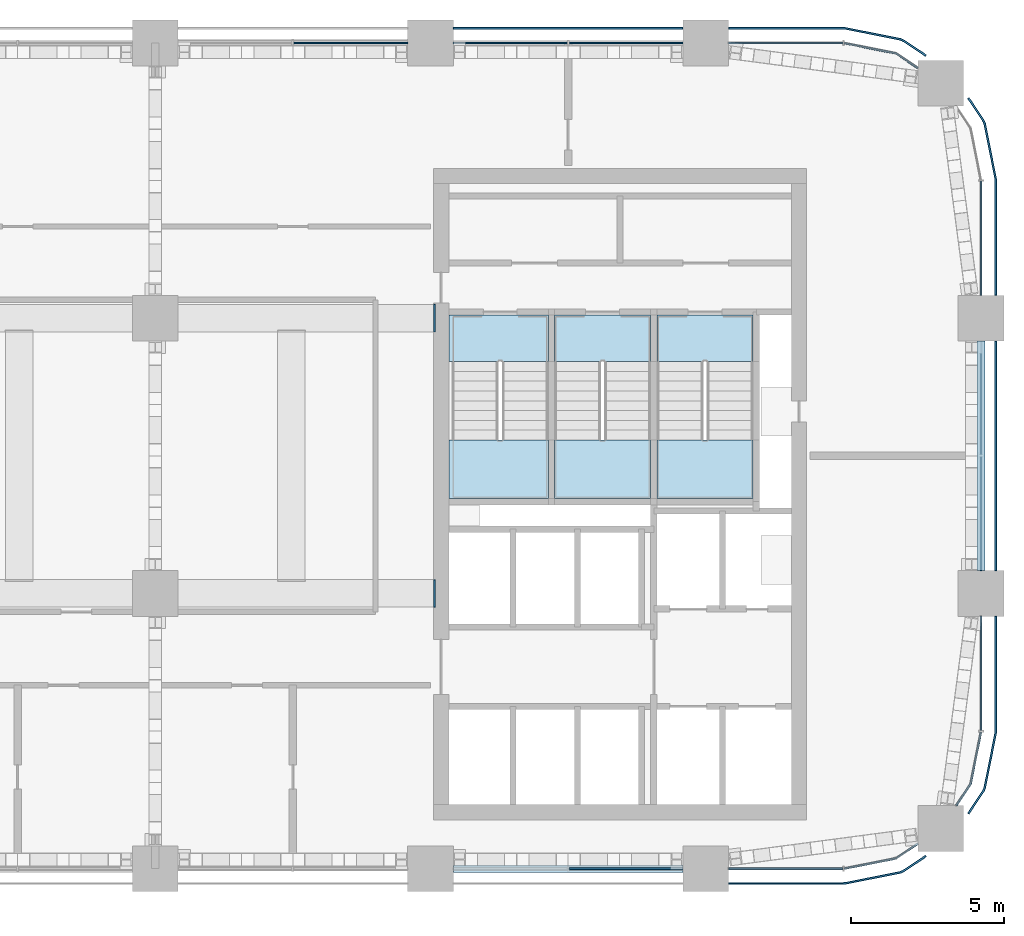
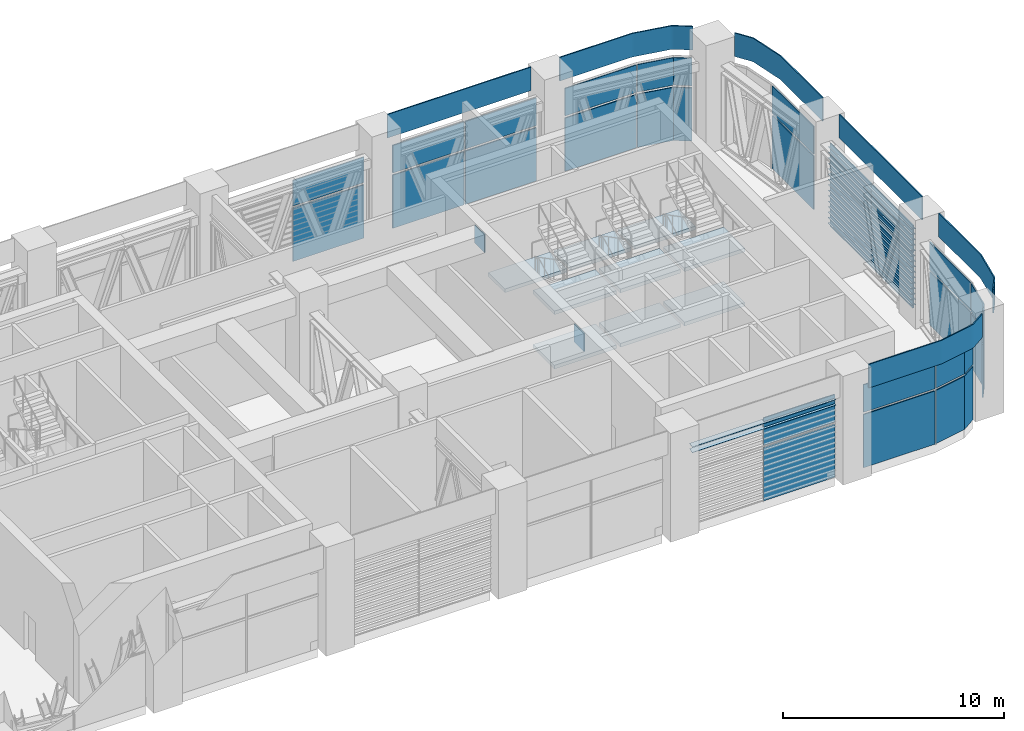
# One storey, part 10 of 19: 51 plates, 9 slabs, 11 elements without a shape of their own.
"""IFC4 building model written with IfcOpenShell, lengths in metres."""

from ifc_helpers import new_model, si_unit, direction, frame, origin, origin_2d, place, context, subcontext, project, spatial, polyline, rectangle, outline, extrude, material, layer, layer_set, type_object, element, aggregate, save


model = new_model("IFC4")

# Units and contexts
model_context = context("Model", 3, precision=1e-05, world=origin(), true_north=direction((0.0, 1.0)))
body_context = subcontext(model_context, "Body", "Model", "MODEL_VIEW")
ifc_project = project(units=[si_unit("LENGTHUNIT", "METRE"), si_unit("AREAUNIT", "SQUARE_METRE"), si_unit("VOLUMEUNIT", "CUBIC_METRE"), si_unit("PLANEANGLEUNIT", "RADIAN"), si_unit("MASSUNIT", "GRAM", prefix="KILO")], contexts=[model_context])

# Site, building, storey
site_placement = place(None, origin())
site = spatial("IfcSite", under=ifc_project, at=site_placement, CompositionType="ELEMENT")
building_placement = place(site_placement, origin())
building = spatial("IfcBuilding", under=site, at=building_placement, Name="Tessera Arch", CompositionType="ELEMENT")
storey_placement = place(building_placement, frame((0.0, 0.0, 197.300048828125)))
storey = spatial("IfcBuildingStorey", under=building, at=storey_placement, Name="L47", CompositionType="ELEMENT", Elevation=197.300048828125)

# Curtain wall, plates
ifc_material_1 = material(Name="CW7 curtain wall")
curtain_wall_type = type_object("IfcCurtainWallType", Name="CW7 curtain wall", PredefinedType="NOTDEFINED", material=ifc_material_1)
curtain_wall_1_placement = place(storey_placement, origin())
curtain_wall_1 = element("IfcCurtainWall", 1, at=curtain_wall_1_placement, inside=storey, type_object=curtain_wall_type, Name="CW7 curtain wall E54.27/0 L47", PredefinedType="NOTDEFINED")
ifc_material_2 = material(Name="Pale anodised aluminium panel", Category="aluminium")
ifc_layer_1 = layer(ifc_material_2, 0.06005859375)
ifc_layer_set_1 = layer_set([ifc_layer_1], Name="CW7 plant wall panel")
plate_type_1 = type_object("IfcPlateType", Name="CW7 plant wall panel", PredefinedType="CURTAIN_PANEL", material=ifc_layer_set_1)
plate_1_placement = place(storey_placement, frame((54.0, 38.610107421875, 0.0), z_axis=(0.0, 0.0, 1.0), x_axis=(0.0, 1.0, 0.0)))
plate_1 = element("IfcPlate", 2, at=plate_1_placement, type_object=plate_type_1, Name="CW7 plant wall panel E54.27/0 1.1.1", PredefinedType="CURTAIN_PANEL", context=body_context, shape_type="SweptSolid", body=[
    extrude(rectangle(XDim=3.719970703125, YDim=0.06005859375, at=origin_2d()), origin(), (0.0, 0.0, 1.0), 2.93994140625),
])
plate_2_placement = place(storey_placement, frame((54.0, 38.610107421875, 3.06005859375), z_axis=(0.0, 0.0, 1.0), x_axis=(0.0, 1.0, 0.0)))
plate_2 = element("IfcPlate", 3, at=plate_2_placement, type_object=plate_type_1, Name="CW7 plant wall panel E54.27/0 1.1.2", PredefinedType="CURTAIN_PANEL", context=body_context, shape_type="SweptSolid", body=[
    extrude(rectangle(XDim=3.719970703125, YDim=0.06005859375, at=origin_2d()), origin(), (0.0, 0.0, 1.0), 1.52001953125),
])
plate_3_placement = place(storey_placement, frame((54.0, 42.389892578125, 0.0), z_axis=(0.0, 0.0, 1.0), x_axis=(0.0, 1.0, 0.0)))
plate_3 = element("IfcPlate", 4, at=plate_3_placement, type_object=plate_type_1, Name="CW7 plant wall panel E54.27/0 1.2.1", PredefinedType="CURTAIN_PANEL", context=body_context, shape_type="SweptSolid", body=[
    extrude(rectangle(XDim=3.719970703125, YDim=0.06005859375, at=origin_2d()), origin(), (0.0, 0.0, 1.0), 2.93994140625),
])
plate_4_placement = place(storey_placement, frame((54.0, 42.389892578125, 3.06005859375), z_axis=(0.0, 0.0, 1.0), x_axis=(0.0, 1.0, 0.0)))
plate_4 = element("IfcPlate", 5, at=plate_4_placement, type_object=plate_type_1, Name="CW7 plant wall panel E54.27/0 1.2.2", PredefinedType="CURTAIN_PANEL", context=body_context, shape_type="SweptSolid", body=[
    extrude(rectangle(XDim=3.719970703125, YDim=0.06005859375, at=origin_2d()), origin(), (0.0, 0.0, 1.0), 1.52001953125),
])

curtain_wall_2_placement = place(storey_placement, origin())
curtain_wall_2 = element("IfcCurtainWall", 6, at=curtain_wall_2_placement, inside=storey, type_object=curtain_wall_type, Name="CW7 curtain wall E54.27/1 L47", PredefinedType="NOTDEFINED")
plate_5_placement = place(storey_placement, frame((54.0, 47.610107421875, 0.0), z_axis=(0.0, 0.0, 1.0), x_axis=(0.0, 1.0, 0.0)))
plate_5 = element("IfcPlate", 7, at=plate_5_placement, type_object=plate_type_1, Name="CW7 plant wall panel E54.27/1 1.1", PredefinedType="CURTAIN_PANEL", context=body_context, shape_type="SweptSolid", body=[
    extrude(rectangle(XDim=3.719970703125, YDim=0.06005859375, at=origin_2d()), origin(), (0.0, 0.0, 1.0), 2.93994140625),
])
plate_6_placement = place(storey_placement, frame((54.0, 47.610107421875, 3.06005859375), z_axis=(0.0, 0.0, 1.0), x_axis=(0.0, 1.0, 0.0)))
plate_6 = element("IfcPlate", 8, at=plate_6_placement, type_object=plate_type_1, Name="CW7 plant wall panel E54.27/1 1.2", PredefinedType="CURTAIN_PANEL", context=body_context, shape_type="SweptSolid", body=[
    extrude(rectangle(XDim=3.719970703125, YDim=0.06005859375, at=origin_2d()), origin(), (0.0, 0.0, 1.0), 1.52001953125),
])

curtain_wall_3_placement = place(storey_placement, origin())
curtain_wall_3 = element("IfcCurtainWall", 9, at=curtain_wall_3_placement, inside=storey, type_object=curtain_wall_type, Name="CW7 curtain wall N54.0/0 L47", PredefinedType="NOTDEFINED")
plate_7_placement = place(storey_placement, frame((47.610107421875, 54.0, 0.0), z_axis=(0.0, 0.0, 1.0), x_axis=(-1.0, 0.0, 0.0)))
plate_7 = element("IfcPlate", 10, at=plate_7_placement, type_object=plate_type_1, Name="CW7 plant wall panel N54.0/0 1.1", PredefinedType="CURTAIN_PANEL", context=body_context, shape_type="SweptSolid", body=[
    extrude(rectangle(XDim=3.719970703125, YDim=0.06005859375, at=origin_2d()), origin(), (0.0, 0.0, 1.0), 2.93994140625),
])
plate_8_placement = place(storey_placement, origin())
plate_8 = element("IfcPlate", 11, at=plate_8_placement, type_object=plate_type_1, Name="CW7 curved plant wall panel N54.0/0 2.1", PredefinedType="CURTAIN_PANEL", context=body_context, shape_type="SweptSolid", body=[
    extrude(outline(polyline([(51.21044921875, 53.629150390625), (51.915283203125, 53.158203125), (51.94873046875, 53.2080078125), (51.23388671875, 53.685791015625), (49.53515625, 54.023681640625), (49.523681640625, 53.96484375), (51.21044921875, 53.629150390625)])), origin(), (0.0, 0.0, 1.0), 2.93994140625),
])
plate_9_placement = place(storey_placement, frame((47.610107421875, 54.0, 3.06005859375), z_axis=(0.0, 0.0, 1.0), x_axis=(-1.0, 0.0, 0.0)))
plate_9 = element("IfcPlate", 12, at=plate_9_placement, type_object=plate_type_1, Name="CW7 plant wall panel N54.0/0 1.2", PredefinedType="CURTAIN_PANEL", context=body_context, shape_type="SweptSolid", body=[
    extrude(rectangle(XDim=3.719970703125, YDim=0.06005859375, at=origin_2d()), origin(), (0.0, 0.0, 1.0), 1.52001953125),
])
plate_10_placement = place(storey_placement, frame((0.0, 0.0, 3.06005859375)))
plate_10 = element("IfcPlate", 13, at=plate_10_placement, type_object=plate_type_1, Name="CW7 curved plant wall panel N54.0/0 2.2", PredefinedType="CURTAIN_PANEL", context=body_context, shape_type="SweptSolid", body=[
    extrude(outline(polyline([(51.21044921875, 53.629150390625), (51.915283203125, 53.158203125), (51.94873046875, 53.2080078125), (51.23388671875, 53.685791015625), (49.53515625, 54.023681640625), (49.523681640625, 53.96484375), (51.21044921875, 53.629150390625)])), origin(), (0.0, 0.0, 1.0), 1.519775390625),
])

curtain_wall_4_placement = place(storey_placement, origin())
curtain_wall_4 = element("IfcCurtainWall", 14, at=curtain_wall_4_placement, inside=storey, type_object=curtain_wall_type, Name="CW7 curtain wall N54.0/1 L47", PredefinedType="NOTDEFINED")
plate_11_placement = place(storey_placement, frame((42.389892578125, 54.0, 0.0), z_axis=(0.0, 0.0, 1.0), x_axis=(-1.0, 0.0, 0.0)))
plate_11 = element("IfcPlate", 15, at=plate_11_placement, type_object=plate_type_1, Name="CW7 plant wall panel N54.0/1 1.1.1", PredefinedType="CURTAIN_PANEL", context=body_context, shape_type="SweptSolid", body=[
    extrude(rectangle(XDim=3.719970703125, YDim=0.06005859375, at=origin_2d()), origin(), (0.0, 0.0, 1.0), 2.93994140625),
])
plate_12_placement = place(storey_placement, frame((42.389892578125, 54.0, 3.06005859375), z_axis=(0.0, 0.0, 1.0), x_axis=(-1.0, 0.0, 0.0)))
plate_12 = element("IfcPlate", 16, at=plate_12_placement, type_object=plate_type_1, Name="CW7 plant wall panel N54.0/1 1.1.2", PredefinedType="CURTAIN_PANEL", context=body_context, shape_type="SweptSolid", body=[
    extrude(rectangle(XDim=3.719970703125, YDim=0.06005859375, at=origin_2d()), origin(), (0.0, 0.0, 1.0), 1.52001953125),
])
plate_13_placement = place(storey_placement, frame((38.610107421875, 54.0, 0.0), z_axis=(0.0, 0.0, 1.0), x_axis=(-1.0, 0.0, 0.0)))
plate_13 = element("IfcPlate", 17, at=plate_13_placement, type_object=plate_type_1, Name="CW7 plant wall panel N54.0/1 1.2.1", PredefinedType="CURTAIN_PANEL", context=body_context, shape_type="SweptSolid", body=[
    extrude(rectangle(XDim=3.719970703125, YDim=0.06005859375, at=origin_2d()), origin(), (0.0, 0.0, 1.0), 2.93994140625),
])
plate_14_placement = place(storey_placement, frame((38.610107421875, 54.0, 3.06005859375), z_axis=(0.0, 0.0, 1.0), x_axis=(-1.0, 0.0, 0.0)))
plate_14 = element("IfcPlate", 18, at=plate_14_placement, type_object=plate_type_1, Name="CW7 plant wall panel N54.0/1 1.2.2", PredefinedType="CURTAIN_PANEL", context=body_context, shape_type="SweptSolid", body=[
    extrude(rectangle(XDim=3.719970703125, YDim=0.06005859375, at=origin_2d()), origin(), (0.0, 0.0, 1.0), 1.52001953125),
])

curtain_wall_5_placement = place(storey_placement, origin())
curtain_wall_5 = element("IfcCurtainWall", 19, at=curtain_wall_5_placement, inside=storey, type_object=curtain_wall_type, Name="CW7 curtain wall N54.0/2 L47", PredefinedType="NOTDEFINED")
plate_15_placement = place(storey_placement, frame((33.389892578125, 54.0, 0.0), z_axis=(0.0, 0.0, 1.0), x_axis=(-1.0, 0.0, 0.0)))
plate_15 = element("IfcPlate", 20, at=plate_15_placement, type_object=plate_type_1, Name="CW7 plant wall panel N54.0/2 1.1.1", PredefinedType="CURTAIN_PANEL", context=body_context, shape_type="SweptSolid", body=[
    extrude(rectangle(XDim=3.719970703125, YDim=0.06005859375, at=origin_2d()), origin(), (0.0, 0.0, 1.0), 2.93994140625),
])
plate_16_placement = place(storey_placement, frame((33.389892578125, 54.0, 3.06005859375), z_axis=(0.0, 0.0, 1.0), x_axis=(-1.0, 0.0, 0.0)))
plate_16 = element("IfcPlate", 21, at=plate_16_placement, type_object=plate_type_1, Name="CW7 plant wall panel N54.0/2 1.1.2", PredefinedType="CURTAIN_PANEL", context=body_context, shape_type="SweptSolid", body=[
    extrude(rectangle(XDim=3.719970703125, YDim=0.06005859375, at=origin_2d()), origin(), (0.0, 0.0, 1.0), 1.409912109375),
])
aggregate(curtain_wall_5, [plate_15, plate_16])

curtain_wall_6_placement = place(storey_placement, origin())
curtain_wall_6 = element("IfcCurtainWall", 22, at=curtain_wall_6_placement, inside=storey, type_object=curtain_wall_type, Name="CW7 curtain wall S27.0/4 L47", PredefinedType="NOTDEFINED")
plate_17_placement = place(storey_placement, frame((42.389892578125, 27.0, 0.0), z_axis=(0.0, 0.0, 1.0), x_axis=(1.0, 0.0, 0.0)))
plate_17 = element("IfcPlate", 23, at=plate_17_placement, type_object=plate_type_1, Name="CW7 plant wall panel S27.0/4 1.2.1", PredefinedType="CURTAIN_PANEL", context=body_context, shape_type="SweptSolid", body=[
    extrude(rectangle(XDim=3.719970703125, YDim=0.06005859375, at=origin_2d()), origin(), (0.0, 0.0, 1.0), 2.93994140625),
])
plate_18_placement = place(storey_placement, frame((42.389892578125, 27.0, 3.06005859375), z_axis=(0.0, 0.0, 1.0), x_axis=(1.0, 0.0, 0.0)))
plate_18 = element("IfcPlate", 24, at=plate_18_placement, type_object=plate_type_1, Name="CW7 plant wall panel S27.0/4 1.2.2", PredefinedType="CURTAIN_PANEL", context=body_context, shape_type="SweptSolid", body=[
    extrude(rectangle(XDim=3.719970703125, YDim=0.06005859375, at=origin_2d()), origin(), (0.0, 0.0, 1.0), 1.52001953125),
])
aggregate(curtain_wall_6, [plate_17, plate_18])

curtain_wall_7_placement = place(storey_placement, origin())
curtain_wall_7 = element("IfcCurtainWall", 25, at=curtain_wall_7_placement, inside=storey, type_object=curtain_wall_type, Name="CW7 curtain wall S27.0/5 L47", PredefinedType="NOTDEFINED")
plate_19_placement = place(storey_placement, frame((47.610107421875, 27.0, 0.0), z_axis=(0.0, 0.0, 1.0), x_axis=(1.0, 0.0, 0.0)))
plate_19 = element("IfcPlate", 26, at=plate_19_placement, type_object=plate_type_1, Name="CW7 plant wall panel S27.0/5 1.1", PredefinedType="CURTAIN_PANEL", context=body_context, shape_type="SweptSolid", body=[
    extrude(rectangle(XDim=3.719970703125, YDim=0.06005859375, at=origin_2d()), origin(), (0.0, 0.0, 1.0), 2.93994140625),
])
plate_20_placement = place(storey_placement, origin())
plate_20 = element("IfcPlate", 27, at=plate_20_placement, type_object=plate_type_1, Name="CW7 curved plant wall panel S27.0/5 2.1", PredefinedType="CURTAIN_PANEL", context=body_context, shape_type="SweptSolid", body=[
    extrude(outline(polyline([(51.21044921875, 27.370849609375), (49.523681640625, 27.03515625), (49.53515625, 26.976318359375), (51.23388671875, 27.314208984375), (51.94873046875, 27.7919921875), (51.915283203125, 27.841796875), (51.21044921875, 27.370849609375)])), origin(), (0.0, 0.0, 1.0), 2.93994140625),
])
plate_21_placement = place(storey_placement, frame((47.610107421875, 27.0, 3.06005859375), z_axis=(0.0, 0.0, 1.0), x_axis=(1.0, 0.0, 0.0)))
plate_21 = element("IfcPlate", 28, at=plate_21_placement, type_object=plate_type_1, Name="CW7 plant wall panel S27.0/5 1.2", PredefinedType="CURTAIN_PANEL", context=body_context, shape_type="SweptSolid", body=[
    extrude(rectangle(XDim=3.719970703125, YDim=0.06005859375, at=origin_2d()), origin(), (0.0, 0.0, 1.0), 1.52001953125),
])
plate_22_placement = place(storey_placement, frame((0.0, 0.0, 3.06005859375)))
plate_22 = element("IfcPlate", 29, at=plate_22_placement, type_object=plate_type_1, Name="CW7 curved plant wall panel S27.0/5 2.2", PredefinedType="CURTAIN_PANEL", context=body_context, shape_type="SweptSolid", body=[
    extrude(outline(polyline([(51.21044921875, 27.370849609375), (49.523681640625, 27.03515625), (49.53515625, 26.976318359375), (51.23388671875, 27.314208984375), (51.94873046875, 27.7919921875), (51.915283203125, 27.841796875), (51.21044921875, 27.370849609375)])), origin(), (0.0, 0.0, 1.0), 1.519775390625),
])

curtain_wall_8_placement = place(storey_placement, origin())
curtain_wall_8 = element("IfcCurtainWall", 30, at=curtain_wall_8_placement, inside=storey, type_object=curtain_wall_type, Name="CW7 curtain wall E54.27/2 L47", PredefinedType="NOTDEFINED")
plate_23_placement = place(storey_placement, frame((54.0, 33.389892578125, 0.0), z_axis=(0.0, 0.0, 1.0), x_axis=(0.0, 1.0, 0.0)))
plate_23 = element("IfcPlate", 31, at=plate_23_placement, type_object=plate_type_1, Name="CW7 plant wall panel E54.27/2 1.1", PredefinedType="CURTAIN_PANEL", context=body_context, shape_type="SweptSolid", body=[
    extrude(rectangle(XDim=3.719970703125, YDim=0.06005859375, at=origin_2d()), origin(), (0.0, 0.0, 1.0), 2.93994140625),
])
plate_24_placement = place(storey_placement, origin())
plate_24 = element("IfcPlate", 32, at=plate_24_placement, type_object=plate_type_1, Name="CW7 curved plant wall panel E54.27/2 2.1", PredefinedType="CURTAIN_PANEL", context=body_context, shape_type="SweptSolid", body=[
    extrude(outline(polyline([(53.629150390625, 29.78955078125), (53.158203125, 29.084716796875), (53.2080078125, 29.05126953125), (53.685791015625, 29.76611328125), (54.023681640625, 31.46484375), (53.96484375, 31.476318359375), (53.629150390625, 29.78955078125)])), origin(), (0.0, 0.0, 1.0), 2.93994140625),
])
plate_25_placement = place(storey_placement, frame((54.0, 33.389892578125, 3.06005859375), z_axis=(0.0, 0.0, 1.0), x_axis=(0.0, 1.0, 0.0)))
plate_25 = element("IfcPlate", 33, at=plate_25_placement, type_object=plate_type_1, Name="CW7 plant wall panel E54.27/2 1.2", PredefinedType="CURTAIN_PANEL", context=body_context, shape_type="SweptSolid", body=[
    extrude(rectangle(XDim=3.719970703125, YDim=0.06005859375, at=origin_2d()), origin(), (0.0, 0.0, 1.0), 1.52001953125),
])
plate_26_placement = place(storey_placement, frame((0.0, 0.0, 3.06005859375)))
plate_26 = element("IfcPlate", 34, at=plate_26_placement, type_object=plate_type_1, Name="CW7 curved plant wall panel E54.27/2 2.2", PredefinedType="CURTAIN_PANEL", context=body_context, shape_type="SweptSolid", body=[
    extrude(outline(polyline([(53.629150390625, 29.78955078125), (53.158203125, 29.084716796875), (53.2080078125, 29.05126953125), (53.685791015625, 29.76611328125), (54.023681640625, 31.46484375), (53.96484375, 31.476318359375), (53.629150390625, 29.78955078125)])), origin(), (0.0, 0.0, 1.0), 1.519775390625),
])

# Plate
ifc_material_3 = material(Name="Pale anodised aluminium panel", Category="aluminium")
ifc_layer_2 = layer(ifc_material_3, 0.06005859375)
ifc_layer_set_2 = layer_set([ifc_layer_2], Name="CW7 spandrel panel")
plate_type_2 = type_object("IfcPlateType", Name="CW7 spandrel panel", PredefinedType="CURTAIN_PANEL", material=ifc_layer_set_2)
plate_27_placement = place(storey_placement, frame((54.47998046875, 40.5, 4.69970703125), z_axis=(0.0, 0.0, 1.0), x_axis=(0.0, 1.0, 0.0)))
plate_27 = element("IfcPlate", 35, at=plate_27_placement, type_object=plate_type_2, Name="CW7 spandrel panel E54.27/0", PredefinedType="CURTAIN_PANEL", context=body_context, shape_type="SweptSolid", body=[
    extrude(rectangle(XDim=7.5, YDim=0.06005859375, at=origin_2d()), origin(), (0.0, 0.0, 1.0), 1.300048828125),
])

aggregate(curtain_wall_1, [plate_1, plate_2, plate_3, plate_4, plate_27])

plate_28_placement = place(storey_placement, frame((0.0, 0.0, 4.699951171875)))
plate_28 = element("IfcPlate", 36, at=plate_28_placement, type_object=plate_type_2, Name="CW7 spandrel panel E54.27/1", PredefinedType="CURTAIN_PANEL", context=body_context, shape_type="SweptSolid", body=[
    extrude(outline(polyline([(54.449951171875, 49.499267578125), (54.449951171875, 45.75), (54.510009765625, 45.75), (54.510009765625, 49.500732421875), (54.507568359375, 49.550048828125), (54.500244140625, 49.598876953125), (54.157470703125, 51.322265625), (54.1455078125, 51.3701171875), (54.128662109375, 51.417236328125), (54.107421875, 51.462646484375), (54.08203125, 51.5048828125), (53.607177734375, 52.21533203125), (53.55712890625, 52.18212890625), (54.03125, 51.47265625), (54.054443359375, 51.434326171875), (54.0732421875, 51.394287109375), (54.088134765625, 51.352783203125), (54.09912109375, 51.30908203125), (54.441162109375, 49.588623046875), (54.44775390625, 49.544189453125), (54.449951171875, 49.499267578125)])), origin(), (0.0, 0.0, 1.0), 1.300048828125),
])

aggregate(curtain_wall_2, [plate_5, plate_6, plate_28])

plate_29_placement = place(storey_placement, frame((0.0, 0.0, 4.699951171875)))
plate_29 = element("IfcPlate", 37, at=plate_29_placement, type_object=plate_type_2, Name="CW7 spandrel panel N54.0/0", PredefinedType="CURTAIN_PANEL", context=body_context, shape_type="SweptSolid", body=[
    extrude(outline(polyline([(51.47265625, 54.03125), (52.18212890625, 53.55712890625), (52.21533203125, 53.607177734375), (51.5048828125, 54.08203125), (51.462646484375, 54.107421875), (51.417236328125, 54.128662109375), (51.3701171875, 54.1455078125), (51.322265625, 54.157470703125), (49.598876953125, 54.500244140625), (49.550048828125, 54.507568359375), (49.500732421875, 54.510009765625), (45.75, 54.510009765625), (45.75, 54.449951171875), (49.499267578125, 54.449951171875), (49.544189453125, 54.44775390625), (49.588623046875, 54.441162109375), (51.30908203125, 54.09912109375), (51.352783203125, 54.088134765625), (51.394287109375, 54.0732421875), (51.434326171875, 54.054443359375), (51.47265625, 54.03125)])), origin(), (0.0, 0.0, 1.0), 1.300048828125),
])

aggregate(curtain_wall_3, [plate_7, plate_8, plate_9, plate_10, plate_29])

plate_30_placement = place(storey_placement, frame((40.5, 54.47998046875, 4.69970703125), z_axis=(0.0, 0.0, 1.0), x_axis=(-1.0, 0.0, 0.0)))
plate_30 = element("IfcPlate", 38, at=plate_30_placement, type_object=plate_type_2, Name="CW7 spandrel panel N54.0/1", PredefinedType="CURTAIN_PANEL", context=body_context, shape_type="SweptSolid", body=[
    extrude(rectangle(XDim=7.5, YDim=0.06005859375, at=origin_2d()), origin(), (0.0, 0.0, 1.0), 1.300048828125),
])

aggregate(curtain_wall_4, [plate_11, plate_12, plate_13, plate_14, plate_30])

plate_31_placement = place(storey_placement, frame((0.0, 0.0, 4.699951171875)))
plate_31 = element("IfcPlate", 39, at=plate_31_placement, type_object=plate_type_2, Name="CW7 spandrel panel S27.0/5", PredefinedType="CURTAIN_PANEL", context=body_context, shape_type="SweptSolid", body=[
    extrude(outline(polyline([(49.499267578125, 26.550048828125), (45.75, 26.550048828125), (45.75, 26.489990234375), (49.500732421875, 26.489990234375), (49.550048828125, 26.492431640625), (49.598876953125, 26.499755859375), (51.322265625, 26.842529296875), (51.3701171875, 26.8544921875), (51.417236328125, 26.871337890625), (51.462646484375, 26.892578125), (51.5048828125, 26.91796875), (52.21533203125, 27.392822265625), (52.18212890625, 27.44287109375), (51.47265625, 26.96875), (51.434326171875, 26.945556640625), (51.394287109375, 26.9267578125), (51.352783203125, 26.911865234375), (51.30908203125, 26.90087890625), (49.588623046875, 26.558837890625), (49.544189453125, 26.55224609375), (49.499267578125, 26.550048828125)])), origin(), (0.0, 0.0, 1.0), 1.300048828125),
])

aggregate(curtain_wall_7, [plate_19, plate_20, plate_21, plate_22, plate_31])

plate_32_placement = place(storey_placement, frame((0.0, 0.0, 4.699951171875)))
plate_32 = element("IfcPlate", 40, at=plate_32_placement, type_object=plate_type_2, Name="CW7 spandrel panel E54.27/2", PredefinedType="CURTAIN_PANEL", context=body_context, shape_type="SweptSolid", body=[
    extrude(outline(polyline([(54.03125, 29.52734375), (53.55712890625, 28.81787109375), (53.607177734375, 28.78466796875), (54.08203125, 29.4951171875), (54.107421875, 29.537353515625), (54.128662109375, 29.582763671875), (54.1455078125, 29.6298828125), (54.157470703125, 29.677734375), (54.500244140625, 31.401123046875), (54.507568359375, 31.449951171875), (54.510009765625, 31.499267578125), (54.510009765625, 35.25), (54.449951171875, 35.25), (54.449951171875, 31.500732421875), (54.44775390625, 31.455810546875), (54.441162109375, 31.411376953125), (54.09912109375, 29.69091796875), (54.088134765625, 29.647216796875), (54.0732421875, 29.605712890625), (54.054443359375, 29.565673828125), (54.03125, 29.52734375)])), origin(), (0.0, 0.0, 1.0), 1.300048828125),
])

aggregate(curtain_wall_8, [plate_23, plate_24, plate_25, plate_26, plate_32])

# Plates
ifc_material_4 = material(Name="Steel A572 Gr50", Category="steel")
ifc_layer_3 = layer(ifc_material_4, 0.050048828125)
ifc_layer_set_3 = layer_set([ifc_layer_3], Name="End plate BOX 900x1000x60")
plate_type_3 = type_object("IfcPlateType", Name="End plate BOX 900x1000x60", PredefinedType="SHEET", material=ifc_layer_set_3)
for number, where, z_axis, x_axis, name in (
    (41, (36.10009765625, 36.0, 5.08984375), (1.0, 0.0, 0.0), (0.0, 1.0, 0.0), "End plate BOX 900x1000x60 portal girder y36 2 L47"),
    (42, (36.10009765625, 45.0, 5.08984375), (1.0, 0.0, 0.0), (0.0, 1.0, 0.0), "End plate BOX 900x1000x60 portal girder y45 2 L47"),
):
    element("IfcPlate", number, at=place(storey_placement, frame(where, z_axis=z_axis, x_axis=x_axis)), inside=storey, type_object=plate_type_3, Name=name, PredefinedType="SHEET", context=body_context, shape_type="SweptSolid", body=[
        extrude(rectangle(XDim=0.89990234375, YDim=1.0, at=origin_2d()), origin(), (0.0, 0.0, 1.0), 0.0498046875),
    ])
ifc_material_5 = material(Name="Aluminium louvre pale metal anodised", Category="aluminium")
ifc_layer_4 = layer(ifc_material_5, 0.02001953125)
ifc_layer_set_4 = layer_set([ifc_layer_4], Name="Plant louvre blade")
plate_type_4 = type_object("IfcPlateType", Name="Plant louvre blade", PredefinedType="USERDEFINED", material=ifc_layer_set_4)
for number, where, z_axis, x_axis, name in (
    (43, (54.125, 36.75, 0.14990234375), (0.269874067237, 0.0, 0.962895626656), (0.0, 1.0, 0.0), "Louvre blade E54.27/0 1"),
    (44, (54.125, 36.75, 0.449951171875), (0.269874067237, 0.0, 0.962895626656), (0.0, 1.0, 0.0), "Louvre blade E54.27/0 2"),
    (45, (54.125, 36.75, 0.75), (0.269874067237, 0.0, 0.962895626656), (0.0, 1.0, 0.0), "Louvre blade E54.27/0 3"),
):
    element("IfcPlate", number, at=place(storey_placement, frame(where, z_axis=z_axis, x_axis=x_axis)), inside=storey, type_object=plate_type_4, Name=name, ObjectType="LOUVER", PredefinedType="USERDEFINED", context=body_context, shape_type="SweptSolid", body=[
        extrude(outline(polyline([(0.0, 0.0), (7.5, 0.0), (7.5, 0.25963353979311715), (0.0, 0.25963353979311715), (0.0, 0.0)])), origin(), (0.0, 0.0, -1.0), 0.02001953125),
    ])
plate_33_placement = place(storey_placement, frame((54.125, 36.75, 1.050048828125), z_axis=(0.269001893813, 0.0, 0.963139647779), x_axis=(0.0, 1.0, 0.0)))
element("IfcPlate", 46, at=plate_33_placement, inside=storey, type_object=plate_type_4, Name="Louvre blade E54.27/0 4", ObjectType="LOUVER", PredefinedType="USERDEFINED", context=body_context, shape_type="SweptSolid", body=[
    extrude(outline(polyline([(0.0, 0.0), (7.5, 0.0), (7.5, 0.25956775902266416), (0.0, 0.25956775902266416), (0.0, 0.0)])), origin(), (0.0, 0.0, -1.0), 0.02001953125),
])
for number, where, z_axis, x_axis, name in (
    (47, (54.125, 36.75, 1.349853515625), (0.269874067237, 0.0, 0.962895626656), (0.0, 1.0, 0.0), "Louvre blade E54.27/0 5"),
    (48, (54.125, 36.75, 1.64990234375), (0.269874067237, 0.0, 0.962895626656), (0.0, 1.0, 0.0), "Louvre blade E54.27/0 6"),
    (49, (54.125, 36.75, 1.949951171875), (0.269874067237, 0.0, 0.962895626656), (0.0, 1.0, 0.0), "Louvre blade E54.27/0 7"),
    (50, (54.125, 36.75, 2.25), (0.269874067237, 0.0, 0.962895626656), (0.0, 1.0, 0.0), "Louvre blade E54.27/0 8"),
):
    element("IfcPlate", number, at=place(storey_placement, frame(where, z_axis=z_axis, x_axis=x_axis)), inside=storey, type_object=plate_type_4, Name=name, ObjectType="LOUVER", PredefinedType="USERDEFINED", context=body_context, shape_type="SweptSolid", body=[
        extrude(outline(polyline([(0.0, 0.0), (7.5, 0.0), (7.5, 0.25963353979311715), (0.0, 0.25963353979311715), (0.0, 0.0)])), origin(), (0.0, 0.0, -1.0), 0.02001953125),
    ])
plate_34_placement = place(storey_placement, frame((54.125, 36.75, 2.550048828125), z_axis=(0.269001893813, 0.0, 0.963139647779), x_axis=(0.0, 1.0, 0.0)))
element("IfcPlate", 51, at=plate_34_placement, inside=storey, type_object=plate_type_4, Name="Louvre blade E54.27/0 9", ObjectType="LOUVER", PredefinedType="USERDEFINED", context=body_context, shape_type="SweptSolid", body=[
    extrude(outline(polyline([(0.0, 0.0), (7.5, 0.0), (7.5, 0.25956775902266416), (0.0, 0.25956775902266416), (0.0, 0.0)])), origin(), (0.0, 0.0, -1.0), 0.02001953125),
])
for number, where, z_axis, x_axis, name in (
    (52, (54.125, 36.75, 2.849853515625), (0.269874067237, 0.0, 0.962895626656), (0.0, 1.0, 0.0), "Louvre blade E54.27/0 10"),
    (53, (54.125, 36.75, 3.14990234375), (0.269874067237, 0.0, 0.962895626656), (0.0, 1.0, 0.0), "Louvre blade E54.27/0 11"),
    (54, (54.125, 36.75, 3.449951171875), (0.269874067237, 0.0, 0.962895626656), (0.0, 1.0, 0.0), "Louvre blade E54.27/0 12"),
    (55, (54.125, 36.75, 3.75), (0.269874067237, 0.0, 0.962895626656), (0.0, 1.0, 0.0), "Louvre blade E54.27/0 13"),
):
    element("IfcPlate", number, at=place(storey_placement, frame(where, z_axis=z_axis, x_axis=x_axis)), inside=storey, type_object=plate_type_4, Name=name, ObjectType="LOUVER", PredefinedType="USERDEFINED", context=body_context, shape_type="SweptSolid", body=[
        extrude(outline(polyline([(0.0, 0.0), (7.5, 0.0), (7.5, 0.25963353979311715), (0.0, 0.25963353979311715), (0.0, 0.0)])), origin(), (0.0, 0.0, -1.0), 0.02001953125),
    ])
plate_35_placement = place(storey_placement, frame((54.125, 36.75, 4.050048828125), z_axis=(0.269001893813, 0.0, 0.963139647779), x_axis=(0.0, 1.0, 0.0)))
element("IfcPlate", 56, at=plate_35_placement, inside=storey, type_object=plate_type_4, Name="Louvre blade E54.27/0 14", ObjectType="LOUVER", PredefinedType="USERDEFINED", context=body_context, shape_type="SweptSolid", body=[
    extrude(outline(polyline([(0.0, 0.0), (7.5, 0.0), (7.5, 0.25956775902266416), (0.0, 0.25956775902266416), (0.0, 0.0)])), origin(), (0.0, 0.0, -1.0), 0.02001953125),
])
plate_36_placement = place(storey_placement, frame((54.125, 36.75, 4.349853515625), z_axis=(0.269874067237, 0.0, 0.962895626656), x_axis=(0.0, 1.0, 0.0)))
element("IfcPlate", 57, at=plate_36_placement, inside=storey, type_object=plate_type_4, Name="Louvre blade E54.27/0 15", ObjectType="LOUVER", PredefinedType="USERDEFINED", context=body_context, shape_type="SweptSolid", body=[
    extrude(outline(polyline([(0.0, 0.0), (7.5, 0.0), (7.5, 0.25963353979311715), (0.0, 0.25963353979311715), (0.0, 0.0)])), origin(), (0.0, 0.0, -1.0), 0.02001953125),
])
plate_37_placement = place(storey_placement, frame((36.75, 26.875, 4.050048828125), z_axis=(0.0, -0.269001893813, 0.963139647779), x_axis=(1.0, 0.0, 0.0)))
element("IfcPlate", 58, at=plate_37_placement, inside=storey, type_object=plate_type_4, Name="Louvre blade S27.0/4 14", ObjectType="LOUVER", PredefinedType="USERDEFINED", context=body_context, shape_type="SweptSolid", body=[
    extrude(outline(polyline([(0.0, 0.0), (7.5, 0.0), (7.5, 0.25956775902266416), (0.0, 0.25956775902266416), (0.0, 0.0)])), origin(), (0.0, 0.0, -1.0), 0.02001953125),
])
plate_38_placement = place(storey_placement, frame((36.75, 26.875, 4.349853515625), z_axis=(0.0, -0.269874067237, 0.962895626656), x_axis=(1.0, 0.0, 0.0)))
element("IfcPlate", 59, at=plate_38_placement, inside=storey, type_object=plate_type_4, Name="Louvre blade S27.0/4 15", ObjectType="LOUVER", PredefinedType="USERDEFINED", context=body_context, shape_type="SweptSolid", body=[
    extrude(outline(polyline([(0.0, 0.0), (7.5, 0.0), (7.5, 0.25963353979311715), (0.0, 0.25963353979311715), (0.0, 0.0)])), origin(), (0.0, 0.0, -1.0), 0.02001953125),
])

# Stair, slabs
ifc_material_6 = material(Name="Concrete C40/50", Category="concrete")
stair_type = type_object("IfcStairType", Name="Dogleg stair 1520", PredefinedType="HALF_TURN_STAIR", material=ifc_material_6)
stair_1_placement = place(storey_placement, origin())
stair_1 = element("IfcStair", 60, at=stair_1_placement, inside=storey, type_object=stair_type, Name="L47 S1a", PredefinedType="HALF_TURN_STAIR")
ifc_material_7 = material(Name="Concrete C40/50", Category="concrete")
ifc_layer_5 = layer(ifc_material_7, 0.300048828125)
ifc_layer_set_5 = layer_set([ifc_layer_5], Name="Stair landing 300")
slab_type = type_object("IfcSlabType", Name="Stair landing 300", PredefinedType="LANDING", material=ifc_layer_set_5)
slab_1_placement = place(storey_placement, frame((0.0, 0.0, 1.300048828125)))
slab_1 = element("IfcSlab", 61, at=slab_1_placement, type_object=slab_type, Name="S1a landing 1", PredefinedType="LANDING", context=body_context, shape_type="SweptSolid", body=[
    extrude(outline(polyline([(36.60009765625, 41.02001953125), (36.60009765625, 39.10009765625), (39.85009765625, 39.10009765625), (39.85009765625, 41.02001953125), (36.60009765625, 41.02001953125)])), origin(), (0.0, 0.0, 1.0), 0.199951171875),
])
slab_2_placement = place(storey_placement, frame((0.0, 0.0, 2.800048828125)))
slab_2 = element("IfcSlab", 62, at=slab_2_placement, type_object=slab_type, Name="S1a landing 2", PredefinedType="LANDING", context=body_context, shape_type="SweptSolid", body=[
    extrude(outline(polyline([(36.60009765625, 45.10009765625), (36.60009765625, 43.580078125), (39.85009765625, 43.580078125), (39.85009765625, 45.10009765625), (36.60009765625, 45.10009765625)])), origin(), (0.0, 0.0, 1.0), 0.199951171875),
])
slab_3_placement = place(storey_placement, frame((0.0, 0.0, 4.300048828125)))
slab_3 = element("IfcSlab", 63, at=slab_3_placement, type_object=slab_type, Name="S1a landing 3", PredefinedType="LANDING", context=body_context, shape_type="SweptSolid", body=[
    extrude(outline(polyline([(36.60009765625, 41.02001953125), (36.60009765625, 39.10009765625), (39.85009765625, 39.10009765625), (39.85009765625, 41.02001953125), (36.60009765625, 41.02001953125)])), origin(), (0.0, 0.0, 1.0), 0.199951171875),
])
aggregate(stair_1, [slab_1, slab_2, slab_3])

stair_2_placement = place(storey_placement, origin())
stair_2 = element("IfcStair", 64, at=stair_2_placement, inside=storey, type_object=stair_type, Name="L47 S1b", PredefinedType="HALF_TURN_STAIR")
slab_4_placement = place(storey_placement, frame((0.0, 0.0, 1.300048828125)))
slab_4 = element("IfcSlab", 65, at=slab_4_placement, type_object=slab_type, Name="S1b landing 1", PredefinedType="LANDING", context=body_context, shape_type="SweptSolid", body=[
    extrude(outline(polyline([(40.050048828125, 41.02001953125), (40.050048828125, 39.10009765625), (43.199951171875, 39.10009765625), (43.199951171875, 41.02001953125), (40.050048828125, 41.02001953125)])), origin(), (0.0, 0.0, 1.0), 0.199951171875),
])
slab_5_placement = place(storey_placement, frame((0.0, 0.0, 2.800048828125)))
slab_5 = element("IfcSlab", 66, at=slab_5_placement, type_object=slab_type, Name="S1b landing 2", PredefinedType="LANDING", context=body_context, shape_type="SweptSolid", body=[
    extrude(outline(polyline([(40.050048828125, 45.10009765625), (40.050048828125, 43.580078125), (43.199951171875, 43.580078125), (43.199951171875, 45.10009765625), (40.050048828125, 45.10009765625)])), origin(), (0.0, 0.0, 1.0), 0.199951171875),
])
slab_6_placement = place(storey_placement, frame((0.0, 0.0, 4.300048828125)))
slab_6 = element("IfcSlab", 67, at=slab_6_placement, type_object=slab_type, Name="S1b landing 3", PredefinedType="LANDING", context=body_context, shape_type="SweptSolid", body=[
    extrude(outline(polyline([(40.050048828125, 41.02001953125), (40.050048828125, 39.10009765625), (43.199951171875, 39.10009765625), (43.199951171875, 41.02001953125), (40.050048828125, 41.02001953125)])), origin(), (0.0, 0.0, 1.0), 0.199951171875),
])
aggregate(stair_2, [slab_4, slab_5, slab_6])

stair_3_placement = place(storey_placement, origin())
stair_3 = element("IfcStair", 68, at=stair_3_placement, inside=storey, type_object=stair_type, Name="L47 S1c", PredefinedType="HALF_TURN_STAIR")
slab_7_placement = place(storey_placement, frame((0.0, 0.0, 1.300048828125)))
slab_7 = element("IfcSlab", 69, at=slab_7_placement, type_object=slab_type, Name="S1c landing 1", PredefinedType="LANDING", context=body_context, shape_type="SweptSolid", body=[
    extrude(outline(polyline([(43.39990234375, 41.02001953125), (43.39990234375, 39.10009765625), (46.550048828125, 39.10009765625), (46.550048828125, 41.02001953125), (43.39990234375, 41.02001953125)])), origin(), (0.0, 0.0, 1.0), 0.199951171875),
])
slab_8_placement = place(storey_placement, frame((0.0, 0.0, 2.800048828125)))
slab_8 = element("IfcSlab", 70, at=slab_8_placement, type_object=slab_type, Name="S1c landing 2", PredefinedType="LANDING", context=body_context, shape_type="SweptSolid", body=[
    extrude(outline(polyline([(43.39990234375, 45.10009765625), (43.39990234375, 43.580078125), (46.550048828125, 43.580078125), (46.550048828125, 45.10009765625), (43.39990234375, 45.10009765625)])), origin(), (0.0, 0.0, 1.0), 0.199951171875),
])
slab_9_placement = place(storey_placement, frame((0.0, 0.0, 4.300048828125)))
slab_9 = element("IfcSlab", 71, at=slab_9_placement, type_object=slab_type, Name="S1c landing 3", PredefinedType="LANDING", context=body_context, shape_type="SweptSolid", body=[
    extrude(outline(polyline([(43.39990234375, 41.02001953125), (43.39990234375, 39.10009765625), (46.550048828125, 39.10009765625), (46.550048828125, 41.02001953125), (43.39990234375, 41.02001953125)])), origin(), (0.0, 0.0, 1.0), 0.199951171875),
])
aggregate(stair_3, [slab_7, slab_8, slab_9])

save(model, "model.ifc")
